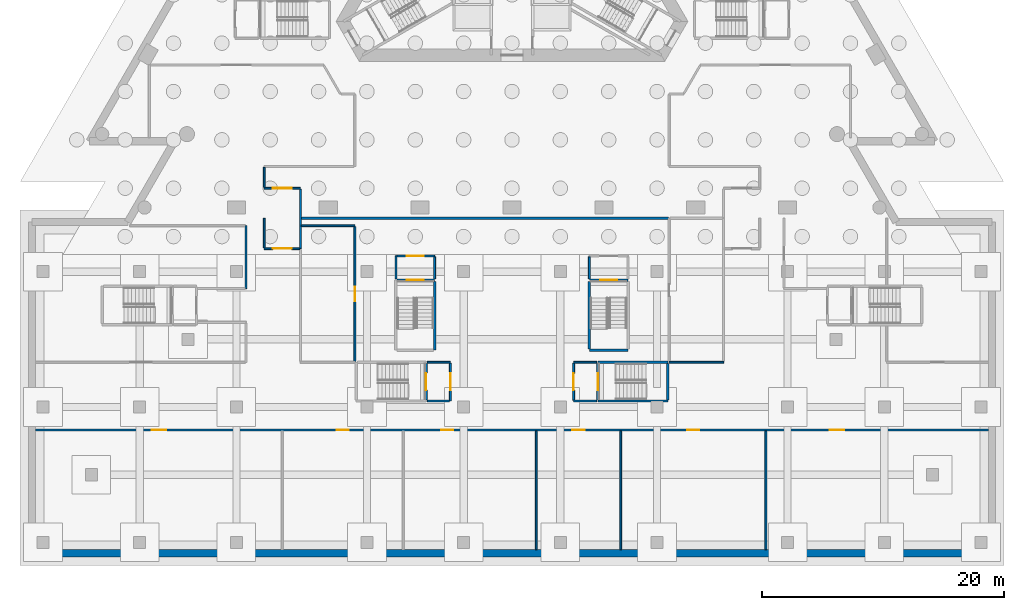
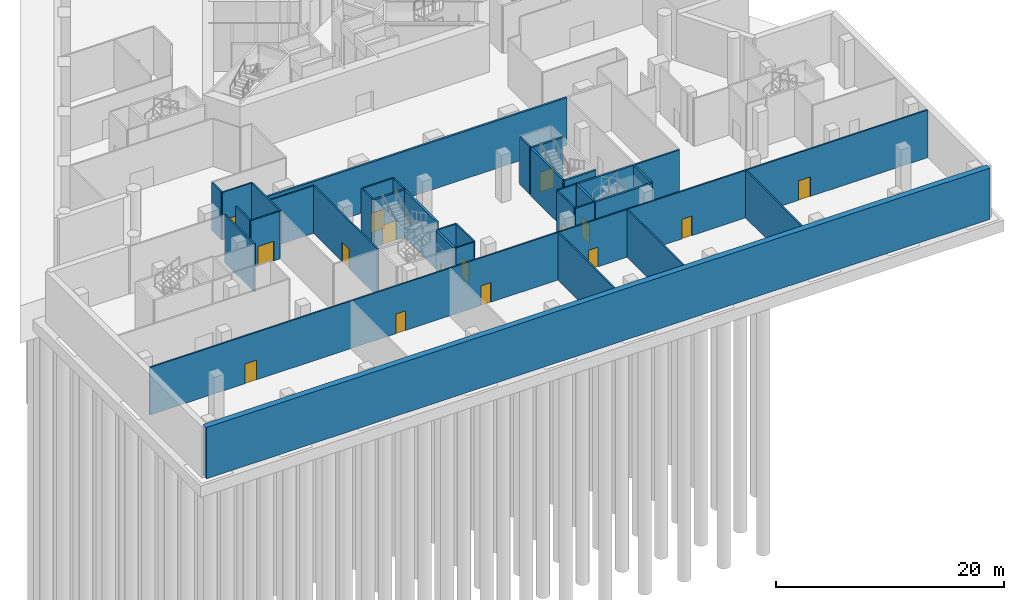
# One storey, part 4 of 20: 35 walls, 16 doors, 16 openings.
"""IFC4 building model written with IfcOpenShell, lengths in metres."""

import ifcopenshell
import ifcopenshell.guid

model = None  # the IFC model being written
_history = None  # IfcOwnerHistory: only IFC2X3 demands one
_inside = {}  # id of a spatial element -> (the spatial element, [elements in it])
_under = {}  # id of a project, library or spatial element -> (it, [spatial elements below it])
_declared = {}  # id of a project -> (the project, [libraries it declares])
_typed = {}  # id of a type object -> (the type object, [elements of that type])
_made_of = {}  # id of a material, layer set ... -> (it, [elements and type objects made of it])


def new_model(schema):
    """Start an empty IFC model of exactly this schema.

    Asked for "IFC4X3", IfcOpenShell would pick the latest addendum, in which some entities
    have other attributes; the version numbers below select the first issue.
    IFC2X3 requires an IfcOwnerHistory on every rooted entity: one is made here for all.
    """
    global model, _history
    if schema == "IFC4X3":
        model = ifcopenshell.file(schema_version=(4, 3, 0, 0))
    else:
        model = ifcopenshell.file(schema=schema)
    _inside.clear()
    _under.clear()
    _declared.clear()
    _typed.clear()
    _made_of.clear()
    _history = None
    if model.schema == "IFC2X3":
        org = make("IfcOrganization", Name="unknown")
        user = make(
            "IfcPersonAndOrganization",
            ThePerson=make("IfcPerson", FamilyName="unknown"),
            TheOrganization=org,
        )
        app = make(
            "IfcApplication",
            ApplicationDeveloper=org,
            Version="unknown",
            ApplicationFullName="unknown",
            ApplicationIdentifier="unknown",
        )
        _history = make(
            "IfcOwnerHistory",
            OwningUser=user,
            OwningApplication=app,
            ChangeAction="ADDED",
            CreationDate=0,
        )
    return model


def make(cls, **values):
    """One entity of the class cls with the attributes given. An attribute that is None is left unset."""
    return model.create_entity(
        cls, **{name: value for name, value in values.items() if value is not None}
    )


def rooted(cls, **values):
    """An entity with a GlobalId (a new one), such as an element, a storey or a relation."""
    return make(cls, GlobalId=ifcopenshell.guid.new(), OwnerHistory=_history, **values)


def si_unit(unit_type, name, prefix=None):
    """IfcSIUnit, for example si_unit("LENGTHUNIT", "METRE", prefix="MILLI")."""
    return make("IfcSIUnit", UnitType=unit_type, Prefix=prefix, Name=name)


def assignment(units):
    """IfcUnitAssignment: the units of a project."""
    return None if units is None else make("IfcUnitAssignment", Units=units)


def point(xyz):
    """IfcCartesianPoint."""
    return None if xyz is None else make("IfcCartesianPoint", Coordinates=xyz)


def direction(xyz):
    """IfcDirection."""
    return None if xyz is None else make("IfcDirection", DirectionRatios=xyz)


def frame(location, z_axis=None, x_axis=None):
    """IfcAxis2Placement3D, a coordinate frame: its origin and axes. An axis left out is left unset."""
    return make(
        "IfcAxis2Placement3D",
        Location=point(location),
        Axis=direction(z_axis),
        RefDirection=direction(x_axis),
    )


def frame_2d(location, x_axis=None):
    """IfcAxis2Placement2D, a coordinate frame in the plane: its origin and x axis."""
    return make(
        "IfcAxis2Placement2D", Location=point(location), RefDirection=direction(x_axis)
    )


def origin():
    """The frame at (0, 0, 0) with its axes left unset."""
    return frame((0.0, 0.0, 0.0))


def place(relative_to, where):
    """IfcLocalPlacement: puts the frame where relative to a parent placement (None: the world)."""
    return make(
        "IfcLocalPlacement", PlacementRelTo=relative_to, RelativePlacement=where
    )


def context(
    kind, dimensions, precision=None, world=None, true_north=None, identifier=None
):
    """IfcGeometricRepresentationContext, for example the 3D "Model" context."""
    return make(
        "IfcGeometricRepresentationContext",
        ContextIdentifier=identifier,
        ContextType=kind,
        CoordinateSpaceDimension=dimensions,
        Precision=precision,
        WorldCoordinateSystem=world,
        TrueNorth=true_north,
    )


def subcontext(parent, identifier, kind, view, scale=None):
    """IfcGeometricRepresentationSubContext, for example "Body" below "Model"."""
    return make(
        "IfcGeometricRepresentationSubContext",
        ContextIdentifier=identifier,
        ContextType=kind,
        ParentContext=parent,
        TargetScale=scale,
        TargetView=view,
    )


def project(units=None, contexts=None):
    """IfcProject with its units and contexts."""
    return rooted(
        "IfcProject",
        Name="project",
        RepresentationContexts=contexts,
        UnitsInContext=assignment(units),
    )


def spatial(cls, under=None, at=None, **own):
    """A site, building, storey or space (cls), placed at a placement, below another one or the project."""
    s = rooted(cls, ObjectPlacement=at, **own)
    if under is not None:
        _under.setdefault(under.id(), (under, []))[1].append(s)
    return s


def profile(cls, at=None, kind="AREA", **sizes):
    """A parametric profile (cls). Its sizes go by their IFC names, for example OverallWidth=200.0."""
    return make(cls, ProfileType=kind, Position=at, **sizes)


def rectangle(**sizes):
    """IfcRectangleProfileDef."""
    return profile("IfcRectangleProfileDef", **sizes)


def extrude(swept, where, along, depth):
    """IfcExtrudedAreaSolid: the profile swept, set in the frame where, extruded along a direction by depth."""
    return make(
        "IfcExtrudedAreaSolid",
        SweptArea=swept,
        Position=where,
        ExtrudedDirection=direction(along),
        Depth=depth,
    )


def shape(context_of_items, identifier, shape_type, items):
    """IfcShapeRepresentation: the items that make up one representation, for example the "Body"."""
    return make(
        "IfcShapeRepresentation",
        ContextOfItems=context_of_items,
        RepresentationIdentifier=identifier,
        RepresentationType=shape_type,
        Items=items,
    )


def material(Name=None, Category=None):
    """IfcMaterial."""
    return make("IfcMaterial", Name=Name, Category=Category)


def layer(
    of_material, thickness, ventilated=None, Name=None, Category=None, Priority=None
):
    """IfcMaterialLayer: one layer of a wall or slab, of a material (None: an air gap)."""
    return make(
        "IfcMaterialLayer",
        Material=of_material,
        LayerThickness=thickness,
        IsVentilated=ventilated,
        Name=Name,
        Category=Category,
        Priority=Priority,
    )


def layer_set(layers, Name=None):
    """IfcMaterialLayerSet."""
    return make("IfcMaterialLayerSet", MaterialLayers=layers, LayerSetName=Name)


def made_of(thing, what):
    """Note that an element or type object is made of a material, layer set ...; save() writes the relation."""
    if what is not None:
        _made_of.setdefault(what.id(), (what, []))[1].append(thing)
    return thing


def type_object(cls, material=None, **own):
    """A type object (cls), such as IfcWallType, which elements share."""
    return made_of(rooted(cls, **own), material)


def element(
    cls,
    number,
    at=None,
    inside=None,
    cuts=None,
    type_object=None,
    material=None,
    context=None,
    identifier="Body",
    shape_type=None,
    held_by="IfcProductDefinitionShape",
    body=None,
    shapes=None,
    **own,
):
    """One element of the class cls, such as IfcWall. Its Tag is "e" and its number.

    at: its placement. inside: the storey or other place that contains it. cuts: it is an
    opening in that element (IfcRelVoidsElement). A single representation is given by context,
    identifier, shape_type and body (its items); several are given by shapes. held_by: the class
    of the entity that holds the representations. save() writes the other relations.
    """
    e = rooted(cls, Tag="e%d" % number, ObjectPlacement=at, **own)
    if body is not None:
        shapes = [shape(context, identifier, shape_type, body)]
    if shapes is not None:
        e.Representation = make(held_by, Representations=shapes)
    if inside is not None:
        _inside.setdefault(inside.id(), (inside, []))[1].append(e)
    if cuts is not None:
        rooted(
            "IfcRelVoidsElement", RelatingBuildingElement=cuts, RelatedOpeningElement=e
        )
    if type_object is not None:
        _typed.setdefault(type_object.id(), (type_object, []))[1].append(e)
    return made_of(e, material)


def fill(opening, filler):
    """IfcRelFillsElement: the door or window that sits in an opening."""
    return rooted(
        "IfcRelFillsElement",
        RelatingOpeningElement=opening,
        RelatedBuildingElement=filler,
    )


def aggregate(whole, parts):
    """IfcRelAggregates: a whole, such as a stair, and the parts it consists of."""
    return rooted("IfcRelAggregates", RelatingObject=whole, RelatedObjects=parts)


def save(model, path):
    """Write the relations noted so far, then the file.

    IfcRelAggregates (storeys below a building ...), IfcRelContainedInSpatialStructure (elements
    in a storey), IfcRelDefinesByType, IfcRelAssociatesMaterial and IfcRelDeclares: one each for
    every whole, place, type object, material and project.
    """
    for whole, parts in _under.values():
        aggregate(whole, parts)
    for where, things in _inside.values():
        rooted(
            "IfcRelContainedInSpatialStructure",
            RelatedElements=things,
            RelatingStructure=where,
        )
    for kind, things in _typed.values():
        rooted("IfcRelDefinesByType", RelatedObjects=things, RelatingType=kind)
    for what, things in _made_of.values():
        rooted("IfcRelAssociatesMaterial", RelatedObjects=things, RelatingMaterial=what)
    for by, libraries in _declared.values():
        rooted("IfcRelDeclares", RelatingContext=by, RelatedDefinitions=libraries)
    model.write(path)


model = new_model("IFC4")

# Units and contexts
model_context = context("Model", 3, precision=1e-05, world=origin(), true_north=direction((0.0, 1.0)))
body_context = subcontext(model_context, "Body", "Model", "MODEL_VIEW")
ifc_project = project(units=[si_unit("LENGTHUNIT", "METRE"), si_unit("AREAUNIT", "SQUARE_METRE"), si_unit("VOLUMEUNIT", "CUBIC_METRE"), si_unit("PLANEANGLEUNIT", "RADIAN"), si_unit("MASSUNIT", "GRAM", prefix="KILO")], contexts=[model_context])

# Site, building, storey
site_placement = place(None, origin())
site = spatial("IfcSite", under=ifc_project, at=site_placement, CompositionType="ELEMENT")
building_placement = place(site_placement, origin())
building = spatial("IfcBuilding", under=site, at=building_placement, Name="Triada Interchange Tower", CompositionType="ELEMENT")
storey_placement = place(building_placement, frame((0.0, 0.0, -5.5)))
storey = spatial("IfcBuildingStorey", under=building, at=storey_placement, Name="B1", CompositionType="ELEMENT", Elevation=-5.5)

# Walls
ifc_material_1 = material(Name="Concrete C30/37", Category="concrete")
ifc_layer_1 = layer(ifc_material_1, 0.60009765625)
ifc_layer_set_1 = layer_set([ifc_layer_1], Name="Basement retaining wall 600")
wall_type_1 = type_object("IfcWallType", Name="Basement retaining wall 600", PredefinedType="SOLIDWALL", material=ifc_layer_set_1)
wall_1_placement = place(storey_placement, frame((-39.699951171875, -50.199951171875, -0.39990234375), z_axis=(0.0, 0.0, 1.0), x_axis=(1.0, 0.0, 0.0)))
element("IfcWall", 1, at=wall_1_placement, inside=storey, type_object=wall_type_1, Name="Retaining wall 13", PredefinedType="SOLIDWALL", context=body_context, shape_type="SweptSolid", body=[
    extrude(rectangle(XDim=79.39990234375, YDim=0.60009765625, at=frame_2d((39.699951171875, 0.0))), origin(), (0.0, 0.0, 1.0), 5.5),
])
ifc_layer_2 = layer(ifc_material_1, 0.199951171875)
ifc_layer_set_2 = layer_set([ifc_layer_2], Name="COMPARTMENT WALL 200 EI 180")
wall_type_2 = type_object("IfcWallType", Name="COMPARTMENT WALL 200 EI 180", PredefinedType="SOLIDWALL", material=ifc_layer_set_2)
wall_2_placement = place(storey_placement, frame((-17.425048828125, -22.5, 0.0), z_axis=(0.0, 0.0, 1.0), x_axis=(1.0, 0.0, 0.0)))
element("IfcWall", 2, at=wall_2_placement, inside=storey, type_object=wall_type_2, Name="Compartment wall B1 73", PredefinedType="SOLIDWALL", context=body_context, shape_type="SweptSolid", body=[
    extrude(rectangle(XDim=30.35205078125, YDim=0.199951171875, at=frame_2d((15.176025390625, 0.0))), origin(), (0.0, 0.0, 1.0), 5.10009765625),
])

# Wall, opening, door
ifc_layer_3 = layer(ifc_material_1, 0.199951171875)
ifc_layer_set_3 = layer_set([ifc_layer_3], Name="CORE WALL 200 REI 240")
wall_type_3 = type_object("IfcWallType", Name="CORE WALL 200 REI 240", PredefinedType="SOLIDWALL", material=ifc_layer_set_3)
wall_3_placement = place(storey_placement, frame((-9.5, -27.60009765625, 0.0), z_axis=(0.0, 0.0, 1.0), x_axis=(1.0, 0.0, 0.0)))
wall_3 = element("IfcWall", 3, at=wall_3_placement, inside=storey, type_object=wall_type_3, Name="Wall B1 139", PredefinedType="SOLIDWALL", context=body_context, shape_type="SweptSolid", body=[
    extrude(rectangle(XDim=3.10009765625, YDim=0.199951171875, at=frame_2d((1.550048828125, 0.0))), origin(), (0.0, 0.0, 1.0), 5.10009765625),
])
opening_1_placement = place(wall_3_placement, frame((0.800048828125, 0.0, 0.0)))
opening_1 = element("IfcOpeningElement", 4, at=opening_1_placement, cuts=wall_3, Name="Opening D1-23", PredefinedType="OPENING", context=body_context, shape_type="SweptSolid", body=[
    extrude(rectangle(XDim=1.39990234375, YDim=2.10009765625, at=frame_2d((0.699951171875, 1.050048828125))), frame((0.0, 0.10986328125, 0.0), z_axis=(0.0, -1.0, 0.0), x_axis=(1.0, 0.0, 0.0)), (0.0, 0.0, 1.0), 0.219970703125),
])
ifc_material_2 = material(Name="Steel S235 door leaf", Category="steel")
door_type_1 = type_object("IfcDoorType", Name="STAIR DOOR 1400 EI2 90-C5S200", OperationType="DOUBLE_DOOR_SINGLE_SWING", PredefinedType="DOOR", material=ifc_material_2)
door_1_placement = place(opening_1_placement, origin())
door_1 = element("IfcDoor", 5, at=door_1_placement, inside=storey, type_object=door_type_1, Name="Door D1-23 B1", OperationType="DOUBLE_DOOR_SINGLE_SWING", OverallHeight=2.10009765625, OverallWidth=1.39990234375, PredefinedType="DOOR", context=body_context, shape_type="SweptSolid", body=[
    extrude(rectangle(XDim=1.39990234375, YDim=2.10009765625, at=frame_2d((0.699951171875, 1.050048828125))), frame((0.0, 0.02490234375, 0.0), z_axis=(0.0, -1.0, 0.0), x_axis=(1.0, 0.0, 0.0)), (0.0, 0.0, 1.0), 0.050048828125),
])
fill(opening_1, door_1)

wall_4_placement = place(storey_placement, frame((6.39990234375, -27.60009765625, 0.0), z_axis=(0.0, 0.0, 1.0), x_axis=(1.0, 0.0, 0.0)))
wall_4 = element("IfcWall", 6, at=wall_4_placement, inside=storey, type_object=wall_type_3, Name="Wall B1 140", PredefinedType="SOLIDWALL", context=body_context, shape_type="SweptSolid", body=[
    extrude(rectangle(XDim=3.2001953125, YDim=0.199951171875, at=frame_2d((1.60009765625, 0.0))), origin(), (0.0, 0.0, 1.0), 5.10009765625),
])
opening_2_placement = place(wall_4_placement, frame((0.89990234375, 0.0, 0.0)))
opening_2 = element("IfcOpeningElement", 7, at=opening_2_placement, cuts=wall_4, Name="Opening D1-21", PredefinedType="OPENING", context=body_context, shape_type="SweptSolid", body=[
    extrude(rectangle(XDim=1.39990234375, YDim=2.10009765625, at=frame_2d((0.699951171875, 1.050048828125))), frame((0.0, 0.10986328125, 0.0), z_axis=(0.0, -1.0, 0.0), x_axis=(1.0, 0.0, 0.0)), (0.0, 0.0, 1.0), 0.219970703125),
])
door_2_placement = place(opening_2_placement, origin())
door_2 = element("IfcDoor", 8, at=door_2_placement, inside=storey, type_object=door_type_1, Name="Door D1-21 B1", OperationType="DOUBLE_DOOR_SINGLE_SWING", OverallHeight=2.10009765625, OverallWidth=1.39990234375, PredefinedType="DOOR", context=body_context, shape_type="SweptSolid", body=[
    extrude(rectangle(XDim=1.39990234375, YDim=2.10009765625, at=frame_2d((0.699951171875, 1.050048828125))), frame((0.0, 0.02490234375, 0.0), z_axis=(0.0, -1.0, 0.0), x_axis=(1.0, 0.0, 0.0)), (0.0, 0.0, 1.0), 0.050048828125),
])
fill(opening_2, door_2)

# Walls
wall_5_placement = place(storey_placement, frame((-6.39990234375, -33.39990234375, 0.0), z_axis=(0.0, 0.0, 1.0), x_axis=(0.0, 1.0, 0.0)))
element("IfcWall", 9, at=wall_5_placement, inside=storey, type_object=wall_type_3, Name="Wall B1 141", PredefinedType="SOLIDWALL", context=body_context, shape_type="SweptSolid", body=[
    extrude(rectangle(XDim=5.699951171875, YDim=0.199951171875, at=frame_2d((2.85009765625, 0.0))), origin(), (0.0, 0.0, 1.0), 5.10009765625),
])
wall_6_placement = place(storey_placement, frame((6.39990234375, -33.39990234375, 0.0), z_axis=(0.0, 0.0, 1.0), x_axis=(1.0, 0.0, 0.0)))
element("IfcWall", 10, at=wall_6_placement, inside=storey, type_object=wall_type_3, Name="Wall B1 143", PredefinedType="SOLIDWALL", context=body_context, shape_type="SweptSolid", body=[
    extrude(rectangle(XDim=3.2001953125, YDim=0.199951171875, at=frame_2d((1.60009765625, 0.0))), origin(), (0.0, 0.0, 1.0), 5.10009765625),
])
for number, where, z_axis, x_axis, name in (
    (11, (7.10009765625, -37.60009765625, 0.0), (0.0, 0.0, 1.0), (1.0, 0.0, 0.0), "Wall B1 145"),
    (12, (7.10009765625, -34.39990234375, 0.0), (0.0, 0.0, 1.0), (1.0, 0.0, 0.0), "Wall B1 148"),
):
    element("IfcWall", number, at=place(storey_placement, frame(where, z_axis=z_axis, x_axis=x_axis)), inside=storey, type_object=wall_type_3, Name=name, PredefinedType="SOLIDWALL", context=body_context, shape_type="SweptSolid", body=[
        extrude(rectangle(XDim=5.7998046875, YDim=0.199951171875, at=frame_2d((2.89990234375, 0.0))), origin(), (0.0, 0.0, 1.0), 5.10009765625),
    ])

# Wall, opening, door
wall_7_placement = place(storey_placement, frame((-7.10009765625, -37.5, 0.0), z_axis=(0.0, 0.0, 1.0), x_axis=(0.0, 1.0, 0.0)))
wall_7 = element("IfcWall", 13, at=wall_7_placement, inside=storey, type_object=wall_type_3, Name="Wall B1 149", PredefinedType="SOLIDWALL", context=body_context, shape_type="SweptSolid", body=[
    extrude(rectangle(XDim=3.0, YDim=0.199951171875, at=frame_2d((1.5, 0.0))), origin(), (0.0, 0.0, 1.0), 5.10009765625),
])
opening_3_placement = place(wall_7_placement, frame((0.800048828125, 0.0, 0.0)))
opening_3 = element("IfcOpeningElement", 14, at=opening_3_placement, cuts=wall_7, Name="Opening D1-09", PredefinedType="OPENING", context=body_context, shape_type="SweptSolid", body=[
    extrude(rectangle(XDim=1.39990234375, YDim=2.10009765625, at=frame_2d((0.699951171875, 1.050048828125))), frame((0.0, 0.10986328125, 0.0), z_axis=(0.0, -1.0, 0.0), x_axis=(1.0, 0.0, 0.0)), (0.0, 0.0, 1.0), 0.219970703125),
])
door_3_placement = place(opening_3_placement, origin())
door_3 = element("IfcDoor", 15, at=door_3_placement, inside=storey, type_object=door_type_1, Name="Door D1-09 B1", OperationType="DOUBLE_DOOR_SINGLE_SWING", OverallHeight=2.10009765625, OverallWidth=1.39990234375, PredefinedType="DOOR", context=body_context, shape_type="SweptSolid", body=[
    extrude(rectangle(XDim=1.39990234375, YDim=2.10009765625, at=frame_2d((0.699951171875, 1.050048828125))), frame((0.0, 0.02490234375, 0.0), z_axis=(0.0, -1.0, 0.0), x_axis=(1.0, 0.0, 0.0)), (0.0, 0.0, 1.0), 0.050048828125),
])
fill(opening_3, door_3)

# Wall
wall_8_placement = place(storey_placement, frame((6.39990234375, -33.300048828125, 0.0), z_axis=(0.0, 0.0, 1.0), x_axis=(0.0, 1.0, 0.0)))
element("IfcWall", 16, at=wall_8_placement, inside=storey, type_object=wall_type_3, Name="Wall B1 151", PredefinedType="SOLIDWALL", context=body_context, shape_type="SweptSolid", body=[
    extrude(rectangle(XDim=5.59814453125, YDim=0.199951171875, at=frame_2d((2.799072265625, 0.0))), origin(), (0.0, 0.0, 1.0), 5.10009765625),
])

# Wall, opening, door
wall_9_placement = place(storey_placement, frame((7.10009765625, -37.5, 0.0), z_axis=(0.0, 0.0, 1.0), x_axis=(0.0, 1.0, 0.0)))
wall_9 = element("IfcWall", 17, at=wall_9_placement, inside=storey, type_object=wall_type_3, Name="Wall B1 152", PredefinedType="SOLIDWALL", context=body_context, shape_type="SweptSolid", body=[
    extrude(rectangle(XDim=3.0, YDim=0.199951171875, at=frame_2d((1.5, 0.0))), origin(), (0.0, 0.0, 1.0), 5.10009765625),
])
opening_4_placement = place(wall_9_placement, frame((0.800048828125, 0.0, 0.0)))
opening_4 = element("IfcOpeningElement", 18, at=opening_4_placement, cuts=wall_9, Name="Opening D1-11", PredefinedType="OPENING", context=body_context, shape_type="SweptSolid", body=[
    extrude(rectangle(XDim=1.39990234375, YDim=2.10009765625, at=frame_2d((0.699951171875, 1.050048828125))), frame((0.0, 0.10986328125, 0.0), z_axis=(0.0, -1.0, 0.0), x_axis=(1.0, 0.0, 0.0)), (0.0, 0.0, 1.0), 0.219970703125),
])
door_4_placement = place(opening_4_placement, origin())
door_4 = element("IfcDoor", 19, at=door_4_placement, inside=storey, type_object=door_type_1, Name="Door D1-11 B1", OperationType="DOUBLE_DOOR_SINGLE_SWING", OverallHeight=2.10009765625, OverallWidth=1.39990234375, PredefinedType="DOOR", context=body_context, shape_type="SweptSolid", body=[
    extrude(rectangle(XDim=1.39990234375, YDim=2.10009765625, at=frame_2d((0.699951171875, 1.050048828125))), frame((0.0, 0.02490234375, 0.0), z_axis=(0.0, -1.0, 0.0), x_axis=(1.0, 0.0, 0.0)), (0.0, 0.0, 1.0), 0.050048828125),
])
fill(opening_4, door_4)

# Wall
wall_10_placement = place(storey_placement, frame((12.89990234375, -37.5, 0.0), z_axis=(0.0, 0.0, 1.0), x_axis=(0.0, 1.0, 0.0)))
element("IfcWall", 20, at=wall_10_placement, inside=storey, type_object=wall_type_3, Name="Wall B1 153", PredefinedType="SOLIDWALL", context=body_context, shape_type="SweptSolid", body=[
    extrude(rectangle(XDim=3.0, YDim=0.199951171875, at=frame_2d((1.5, 0.0))), origin(), (0.0, 0.0, 1.0), 5.10009765625),
])

# Wall, openings, doors
ifc_material_3 = material(Name="Gypsum board partition")
ifc_layer_4 = layer(ifc_material_3, 0.14990234375)
ifc_layer_set_4 = layer_set([ifc_layer_4], Name="PARTITION 150 EI 180")
wall_type_4 = type_object("IfcWallType", Name="PARTITION 150 EI 180", PredefinedType="PARTITIONING", material=ifc_layer_set_4)
wall_11_placement = place(storey_placement, frame((-39.39990234375, -40.0, 0.0), z_axis=(0.0, 0.0, 1.0), x_axis=(1.0, 0.0, 0.0)))
wall_11 = element("IfcWall", 21, at=wall_11_placement, inside=storey, type_object=wall_type_4, Name="Wall B1 1", PredefinedType="PARTITIONING", context=body_context, shape_type="SweptSolid", body=[
    extrude(rectangle(XDim=78.7998046875, YDim=0.14990234375, at=frame_2d((39.39990234375, 0.0))), origin(), (0.0, 0.0, 1.0), 5.10009765625),
])
opening_5_placement = place(wall_11_placement, frame((9.60009765625, 0.0, 0.0)))
opening_5 = element("IfcOpeningElement", 22, at=opening_5_placement, cuts=wall_11, Name="Opening D1-25", PredefinedType="OPENING", context=body_context, shape_type="SweptSolid", body=[
    extrude(rectangle(XDim=1.199951171875, YDim=2.10009765625, at=frame_2d((0.60009765625, 1.050048828125))), frame((0.0, 0.0849609375, 0.0), z_axis=(0.0, -1.0, 0.0), x_axis=(1.0, 0.0, 0.0)), (0.0, 0.0, 1.0), 0.169921875),
])
opening_6_placement = place(wall_11_placement, frame((24.89990234375, 0.0, 0.0)))
opening_6 = element("IfcOpeningElement", 23, at=opening_6_placement, cuts=wall_11, Name="Opening D1-26", PredefinedType="OPENING", context=body_context, shape_type="SweptSolid", body=[
    extrude(rectangle(XDim=1.0, YDim=2.10009765625, at=frame_2d((0.5, 1.050048828125))), frame((0.0, 0.0849609375, 0.0), z_axis=(0.0, -1.0, 0.0), x_axis=(1.0, 0.0, 0.0)), (0.0, 0.0, 1.0), 0.169921875),
])
opening_7_placement = place(wall_11_placement, frame((33.5400390625, 0.0, 0.0)))
opening_7 = element("IfcOpeningElement", 24, at=opening_7_placement, cuts=wall_11, Name="Opening D1-27", PredefinedType="OPENING", context=body_context, shape_type="SweptSolid", body=[
    extrude(rectangle(XDim=1.0, YDim=2.10009765625, at=frame_2d((0.5, 1.050048828125))), frame((0.0, 0.0849609375, 0.0), z_axis=(0.0, -1.0, 0.0), x_axis=(1.0, 0.0, 0.0)), (0.0, 0.0, 1.0), 0.169921875),
])
opening_8_placement = place(wall_11_placement, frame((44.39990234375, 0.0, 0.0)))
opening_8 = element("IfcOpeningElement", 25, at=opening_8_placement, cuts=wall_11, Name="Opening D1-28", PredefinedType="OPENING", context=body_context, shape_type="SweptSolid", body=[
    extrude(rectangle(XDim=1.0, YDim=2.10009765625, at=frame_2d((0.5, 1.050048828125))), frame((0.0, 0.0849609375, 0.0), z_axis=(0.0, -1.0, 0.0), x_axis=(1.0, 0.0, 0.0)), (0.0, 0.0, 1.0), 0.169921875),
])
opening_9_placement = place(wall_11_placement, frame((53.89990234375, 0.0, 0.0)))
opening_9 = element("IfcOpeningElement", 26, at=opening_9_placement, cuts=wall_11, Name="Opening D1-29", PredefinedType="OPENING", context=body_context, shape_type="SweptSolid", body=[
    extrude(rectangle(XDim=1.0, YDim=2.10009765625, at=frame_2d((0.5, 1.050048828125))), frame((0.0, 0.0849609375, 0.0), z_axis=(0.0, -1.0, 0.0), x_axis=(1.0, 0.0, 0.0)), (0.0, 0.0, 1.0), 0.169921875),
])
opening_10_placement = place(wall_11_placement, frame((65.699951171875, 0.0, 0.0)))
opening_10 = element("IfcOpeningElement", 27, at=opening_10_placement, cuts=wall_11, Name="Opening D1-30", PredefinedType="OPENING", context=body_context, shape_type="SweptSolid", body=[
    extrude(rectangle(XDim=1.199951171875, YDim=2.10009765625, at=frame_2d((0.60009765625, 1.050048828125))), frame((0.0, 0.0849609375, 0.0), z_axis=(0.0, -1.0, 0.0), x_axis=(1.0, 0.0, 0.0)), (0.0, 0.0, 1.0), 0.169921875),
])
door_type_2 = type_object("IfcDoorType", Name="ROOM DOOR 1000 EI2 45-C5S200", OperationType="NOTDEFINED", PredefinedType="DOOR", material=ifc_material_2)
door_5_placement = place(opening_6_placement, origin())
door_5 = element("IfcDoor", 28, at=door_5_placement, inside=storey, type_object=door_type_2, Name="Door D1-26 B1", OperationType="SINGLE_SWING_LEFT", OverallHeight=2.10009765625, OverallWidth=1.0, PredefinedType="DOOR", context=body_context, shape_type="SweptSolid", body=[
    extrude(rectangle(XDim=1.0, YDim=2.10009765625, at=frame_2d((0.5, 1.050048828125))), frame((0.0, 0.02490234375, 0.0), z_axis=(0.0, -1.0, 0.0), x_axis=(1.0, 0.0, 0.0)), (0.0, 0.0, 1.0), 0.050048828125),
])
fill(opening_6, door_5)
door_6_placement = place(opening_7_placement, origin())
door_6 = element("IfcDoor", 29, at=door_6_placement, inside=storey, type_object=door_type_2, Name="Door D1-27 B1", OperationType="SINGLE_SWING_LEFT", OverallHeight=2.10009765625, OverallWidth=1.0, PredefinedType="DOOR", context=body_context, shape_type="SweptSolid", body=[
    extrude(rectangle(XDim=1.0, YDim=2.10009765625, at=frame_2d((0.5, 1.050048828125))), frame((0.0, 0.02490234375, 0.0), z_axis=(0.0, -1.0, 0.0), x_axis=(1.0, 0.0, 0.0)), (0.0, 0.0, 1.0), 0.050048828125),
])
fill(opening_7, door_6)
door_7_placement = place(opening_8_placement, origin())
door_7 = element("IfcDoor", 30, at=door_7_placement, inside=storey, type_object=door_type_2, Name="Door D1-28 B1", OperationType="SINGLE_SWING_LEFT", OverallHeight=2.10009765625, OverallWidth=1.0, PredefinedType="DOOR", context=body_context, shape_type="SweptSolid", body=[
    extrude(rectangle(XDim=1.0, YDim=2.10009765625, at=frame_2d((0.5, 1.050048828125))), frame((0.0, 0.02490234375, 0.0), z_axis=(0.0, -1.0, 0.0), x_axis=(1.0, 0.0, 0.0)), (0.0, 0.0, 1.0), 0.050048828125),
])
fill(opening_8, door_7)
door_8_placement = place(opening_9_placement, origin())
door_8 = element("IfcDoor", 31, at=door_8_placement, inside=storey, type_object=door_type_2, Name="Door D1-29 B1", OperationType="SINGLE_SWING_LEFT", OverallHeight=2.10009765625, OverallWidth=1.0, PredefinedType="DOOR", context=body_context, shape_type="SweptSolid", body=[
    extrude(rectangle(XDim=1.0, YDim=2.10009765625, at=frame_2d((0.5, 1.050048828125))), frame((0.0, 0.02490234375, 0.0), z_axis=(0.0, -1.0, 0.0), x_axis=(1.0, 0.0, 0.0)), (0.0, 0.0, 1.0), 0.050048828125),
])
fill(opening_9, door_8)
door_type_3 = type_object("IfcDoorType", Name="ROOM DOOR 1200 EI2 45-C5S200", OperationType="NOTDEFINED", PredefinedType="DOOR", material=ifc_material_2)
door_9_placement = place(opening_5_placement, origin())
door_9 = element("IfcDoor", 32, at=door_9_placement, inside=storey, type_object=door_type_3, Name="Door D1-25 B1", OperationType="SINGLE_SWING_RIGHT", OverallHeight=2.10009765625, OverallWidth=1.199951171875, PredefinedType="DOOR", context=body_context, shape_type="SweptSolid", body=[
    extrude(rectangle(XDim=1.199951171875, YDim=2.10009765625, at=frame_2d((0.60009765625, 1.050048828125))), frame((0.0, 0.02490234375, 0.0), z_axis=(0.0, -1.0, 0.0), x_axis=(1.0, 0.0, 0.0)), (0.0, 0.0, 1.0), 0.050048828125),
])
fill(opening_5, door_9)
door_10_placement = place(opening_10_placement, origin())
door_10 = element("IfcDoor", 33, at=door_10_placement, inside=storey, type_object=door_type_3, Name="Door D1-30 B1", OperationType="SINGLE_SWING_LEFT", OverallHeight=2.10009765625, OverallWidth=1.199951171875, PredefinedType="DOOR", context=body_context, shape_type="SweptSolid", body=[
    extrude(rectangle(XDim=1.199951171875, YDim=2.10009765625, at=frame_2d((0.60009765625, 1.050048828125))), frame((0.0, 0.02490234375, 0.0), z_axis=(0.0, -1.0, 0.0), x_axis=(1.0, 0.0, 0.0)), (0.0, 0.0, 1.0), 0.050048828125),
])
fill(opening_10, door_10)

# Wall
wall_12_placement = place(storey_placement, frame((-9.60009765625, -27.5, 0.0), z_axis=(0.0, 0.0, 1.0), x_axis=(0.0, 1.0, 0.0)))
element("IfcWall", 34, at=wall_12_placement, inside=storey, type_object=wall_type_4, Name="Wall B1 13", PredefinedType="PARTITIONING", context=body_context, shape_type="SweptSolid", body=[
    extrude(rectangle(XDim=1.89990234375, YDim=0.14990234375, at=frame_2d((0.949951171875, 0.0))), origin(), (0.0, 0.0, 1.0), 5.10009765625),
])

# Wall, opening, door
wall_13_placement = place(storey_placement, frame((-9.52490234375, -25.60009765625, 0.0), z_axis=(0.0, 0.0, 1.0), x_axis=(1.0, 0.0, 0.0)))
wall_13 = element("IfcWall", 35, at=wall_13_placement, inside=storey, type_object=wall_type_4, Name="Wall B1 14", PredefinedType="PARTITIONING", context=body_context, shape_type="SweptSolid", body=[
    extrude(rectangle(XDim=3.125, YDim=0.14990234375, at=frame_2d((1.5625, 0.0))), origin(), (0.0, 0.0, 1.0), 5.10009765625),
])
opening_11_placement = place(wall_13_placement, frame((0.824951171875, 0.0, 0.0)))
opening_11 = element("IfcOpeningElement", 36, at=opening_11_placement, cuts=wall_13, Name="Opening D1-24", PredefinedType="OPENING", context=body_context, shape_type="SweptSolid", body=[
    extrude(rectangle(XDim=1.39990234375, YDim=2.10009765625, at=frame_2d((0.699951171875, 1.050048828125))), frame((0.0, 0.0849609375, 0.0), z_axis=(0.0, -1.0, 0.0), x_axis=(1.0, 0.0, 0.0)), (0.0, 0.0, 1.0), 0.169921875),
])
door_11_placement = place(opening_11_placement, origin())
door_11 = element("IfcDoor", 37, at=door_11_placement, inside=storey, type_object=door_type_1, Name="Door D1-24 B1", OperationType="DOUBLE_DOOR_SINGLE_SWING", OverallHeight=2.10009765625, OverallWidth=1.39990234375, PredefinedType="DOOR", context=body_context, shape_type="SweptSolid", body=[
    extrude(rectangle(XDim=1.39990234375, YDim=2.10009765625, at=frame_2d((0.699951171875, 1.050048828125))), frame((0.0, 0.02490234375, 0.0), z_axis=(0.0, -1.0, 0.0), x_axis=(1.0, 0.0, 0.0)), (0.0, 0.0, 1.0), 0.050048828125),
])
fill(opening_11, door_11)

# Walls
wall_14_placement = place(storey_placement, frame((-6.39990234375, -27.5, 0.0), z_axis=(0.0, 0.0, 1.0), x_axis=(0.0, 1.0, 0.0)))
element("IfcWall", 38, at=wall_14_placement, inside=storey, type_object=wall_type_4, Name="Wall B1 16", PredefinedType="PARTITIONING", context=body_context, shape_type="SweptSolid", body=[
    extrude(rectangle(XDim=1.824951171875, YDim=0.14990234375, at=frame_2d((0.91259765625, 0.0))), origin(), (0.0, 0.0, 1.0), 5.10009765625),
])
for number, where, z_axis, x_axis, name in (
    (39, (-7.0, -34.39990234375, 0.0), (0.0, 0.0, 1.0), (1.0, 0.0, 0.0), "Wall B1 18"),
    (40, (5.10009765625, -34.39990234375, 0.0), (0.0, 0.0, 1.0), (1.0, 0.0, 0.0), "Wall B1 19"),
):
    element("IfcWall", number, at=place(storey_placement, frame(where, z_axis=z_axis, x_axis=x_axis)), inside=storey, type_object=wall_type_4, Name=name, PredefinedType="PARTITIONING", context=body_context, shape_type="SweptSolid", body=[
        extrude(rectangle(XDim=1.89990234375, YDim=0.14990234375, at=frame_2d((0.949951171875, 0.0))), origin(), (0.0, 0.0, 1.0), 5.10009765625),
    ])
wall_15_placement = place(storey_placement, frame((13.0, -34.39990234375, 0.0), z_axis=(0.0, 0.0, 1.0), x_axis=(1.0, 0.0, 0.0)))
element("IfcWall", 41, at=wall_15_placement, inside=storey, type_object=wall_type_4, Name="Wall B1 20", PredefinedType="PARTITIONING", context=body_context, shape_type="SweptSolid", body=[
    extrude(rectangle(XDim=4.5, YDim=0.14990234375, at=frame_2d((2.25, 0.0))), origin(), (0.0, 0.0, 1.0), 5.10009765625),
])

# Wall, opening, door
wall_16_placement = place(storey_placement, frame((-5.10009765625, -37.60009765625, 0.0), z_axis=(0.0, 0.0, 1.0), x_axis=(0.0, 1.0, 0.0)))
wall_16 = element("IfcWall", 42, at=wall_16_placement, inside=storey, type_object=wall_type_4, Name="Wall B1 22", PredefinedType="PARTITIONING", context=body_context, shape_type="SweptSolid", body=[
    extrude(rectangle(XDim=3.125, YDim=0.14990234375, at=frame_2d((1.5625, 0.0))), origin(), (0.0, 0.0, 1.0), 5.10009765625),
])
opening_12_placement = place(wall_16_placement, frame((0.89990234375, 0.0, 0.0)))
opening_12 = element("IfcOpeningElement", 43, at=opening_12_placement, cuts=wall_16, Name="Opening D1-10", PredefinedType="OPENING", context=body_context, shape_type="SweptSolid", body=[
    extrude(rectangle(XDim=1.39990234375, YDim=2.10009765625, at=frame_2d((0.699951171875, 1.050048828125))), frame((0.0, 0.0849609375, 0.0), z_axis=(0.0, -1.0, 0.0), x_axis=(1.0, 0.0, 0.0)), (0.0, 0.0, 1.0), 0.169921875),
])
door_12_placement = place(opening_12_placement, origin())
door_12 = element("IfcDoor", 44, at=door_12_placement, inside=storey, type_object=door_type_1, Name="Door D1-10 B1", OperationType="DOUBLE_DOOR_SINGLE_SWING", OverallHeight=2.10009765625, OverallWidth=1.39990234375, PredefinedType="DOOR", context=body_context, shape_type="SweptSolid", body=[
    extrude(rectangle(XDim=1.39990234375, YDim=2.10009765625, at=frame_2d((0.699951171875, 1.050048828125))), frame((0.0, 0.02490234375, 0.0), z_axis=(0.0, -1.0, 0.0), x_axis=(1.0, 0.0, 0.0)), (0.0, 0.0, 1.0), 0.050048828125),
])
fill(opening_12, door_12)

# Walls
wall_17_placement = place(storey_placement, frame((-7.0, -37.60009765625, 0.0), z_axis=(0.0, 0.0, 1.0), x_axis=(1.0, 0.0, 0.0)))
element("IfcWall", 45, at=wall_17_placement, inside=storey, type_object=wall_type_4, Name="Wall B1 23", PredefinedType="PARTITIONING", context=body_context, shape_type="SweptSolid", body=[
    extrude(rectangle(XDim=1.824951171875, YDim=0.14990234375, at=frame_2d((0.91259765625, 0.0))), origin(), (0.0, 0.0, 1.0), 5.10009765625),
])
wall_18_placement = place(storey_placement, frame((5.10009765625, -37.60009765625, 0.0), z_axis=(0.0, 0.0, 1.0), x_axis=(1.0, 0.0, 0.0)))
element("IfcWall", 46, at=wall_18_placement, inside=storey, type_object=wall_type_4, Name="Wall B1 24", PredefinedType="PARTITIONING", context=body_context, shape_type="SweptSolid", body=[
    extrude(rectangle(XDim=1.89990234375, YDim=0.14990234375, at=frame_2d((0.949951171875, 0.0))), origin(), (0.0, 0.0, 1.0), 5.10009765625),
])
wall_19_placement = place(storey_placement, frame((2.0, -49.89990234375, 0.0), z_axis=(0.0, 0.0, 1.0), x_axis=(0.0, 1.0, 0.0)))
element("IfcWall", 47, at=wall_19_placement, inside=storey, type_object=wall_type_4, Name="Wall B1 25", PredefinedType="PARTITIONING", context=body_context, shape_type="SweptSolid", body=[
    extrude(rectangle(XDim=9.824951171875, YDim=0.14990234375, at=frame_2d((4.91259765625, 0.0))), origin(), (0.0, 0.0, 1.0), 5.10009765625),
])
wall_20_placement = place(storey_placement, frame((6.39990234375, -27.5, 0.0), z_axis=(0.0, 0.0, 1.0), x_axis=(0.0, 1.0, 0.0)))
element("IfcWall", 48, at=wall_20_placement, inside=storey, type_object=wall_type_4, Name="Wall B1 26", PredefinedType="PARTITIONING", context=body_context, shape_type="SweptSolid", body=[
    extrude(rectangle(XDim=1.824951171875, YDim=0.14990234375, at=frame_2d((0.91259765625, 0.0))), origin(), (0.0, 0.0, 1.0), 5.10009765625),
])

# Wall, opening, door
wall_21_placement = place(storey_placement, frame((5.10009765625, -37.52490234375, 0.0), z_axis=(0.0, 0.0, 1.0), x_axis=(0.0, 1.0, 0.0)))
wall_21 = element("IfcWall", 49, at=wall_21_placement, inside=storey, type_object=wall_type_4, Name="Wall B1 28", PredefinedType="PARTITIONING", context=body_context, shape_type="SweptSolid", body=[
    extrude(rectangle(XDim=3.0498046875, YDim=0.14990234375, at=frame_2d((1.52490234375, 0.0))), origin(), (0.0, 0.0, 1.0), 5.10009765625),
])
opening_13_placement = place(wall_21_placement, frame((0.824951171875, 0.0, 0.0)))
opening_13 = element("IfcOpeningElement", 50, at=opening_13_placement, cuts=wall_21, Name="Opening D1-12", PredefinedType="OPENING", context=body_context, shape_type="SweptSolid", body=[
    extrude(rectangle(XDim=1.39990234375, YDim=2.10009765625, at=frame_2d((0.699951171875, 1.050048828125))), frame((0.0, 0.0849609375, 0.0), z_axis=(0.0, -1.0, 0.0), x_axis=(1.0, 0.0, 0.0)), (0.0, 0.0, 1.0), 0.169921875),
])
door_13_placement = place(opening_13_placement, origin())
door_13 = element("IfcDoor", 51, at=door_13_placement, inside=storey, type_object=door_type_1, Name="Door D1-12 B1", OperationType="DOUBLE_DOOR_SINGLE_SWING", OverallHeight=2.10009765625, OverallWidth=1.39990234375, PredefinedType="DOOR", context=body_context, shape_type="SweptSolid", body=[
    extrude(rectangle(XDim=1.39990234375, YDim=2.10009765625, at=frame_2d((0.699951171875, 1.050048828125))), frame((0.0, 0.02490234375, 0.0), z_axis=(0.0, -1.0, 0.0), x_axis=(1.0, 0.0, 0.0)), (0.0, 0.0, 1.0), 0.050048828125),
])
fill(opening_13, door_13)

# Walls
for number, where, z_axis, x_axis, name in (
    (52, (9.0, -49.89990234375, 0.0), (0.0, 0.0, 1.0), (0.0, 1.0, 0.0), "Wall B1 29"),
    (53, (21.0, -49.89990234375, 0.0), (0.0, 0.0, 1.0), (0.0, 1.0, 0.0), "Wall B1 34"),
):
    element("IfcWall", number, at=place(storey_placement, frame(where, z_axis=z_axis, x_axis=x_axis)), inside=storey, type_object=wall_type_4, Name=name, PredefinedType="PARTITIONING", context=body_context, shape_type="SweptSolid", body=[
        extrude(rectangle(XDim=9.824951171875, YDim=0.14990234375, at=frame_2d((4.91259765625, 0.0))), origin(), (0.0, 0.0, 1.0), 5.10009765625),
    ])

# Wall, opening, door
ifc_layer_5 = layer(ifc_material_3, 0.14990234375)
ifc_layer_set_5 = layer_set([ifc_layer_5], Name="PARTITION 150 EI 90")
wall_type_5 = type_object("IfcWallType", Name="PARTITION 150 EI 90", PredefinedType="PARTITIONING", material=ifc_layer_set_5)
wall_22_placement = place(storey_placement, frame((-20.5, -20.0, 0.0), z_axis=(0.0, 0.0, 1.0), x_axis=(1.0, 0.0, 0.0)))
wall_22 = element("IfcWall", 54, at=wall_22_placement, inside=storey, type_object=wall_type_5, Name="Wall B1 40", PredefinedType="PARTITIONING", context=body_context, shape_type="SweptSolid", body=[
    extrude(rectangle(XDim=3.0, YDim=0.14990234375, at=frame_2d((1.5, 0.0))), origin(), (0.0, 0.0, 1.0), 5.10009765625),
])
opening_14_placement = place(wall_22_placement, frame((0.699951171875, 0.0, 0.0)))
opening_14 = element("IfcOpeningElement", 55, at=opening_14_placement, cuts=wall_22, Name="Opening D1-06", PredefinedType="OPENING", context=body_context, shape_type="SweptSolid", body=[
    extrude(rectangle(XDim=1.60009765625, YDim=2.10009765625, at=frame_2d((0.800048828125, 1.050048828125))), frame((0.0, 0.0849609375, 0.0), z_axis=(0.0, -1.0, 0.0), x_axis=(1.0, 0.0, 0.0)), (0.0, 0.0, 1.0), 0.169921875),
])
door_type_4 = type_object("IfcDoorType", Name="STAIR DOOR 1600 EI2 90-C5S200", OperationType="DOUBLE_DOOR_SINGLE_SWING", PredefinedType="DOOR", material=ifc_material_2)
door_14_placement = place(opening_14_placement, origin())
door_14 = element("IfcDoor", 56, at=door_14_placement, inside=storey, type_object=door_type_4, Name="Door D1-06 B1", OperationType="DOUBLE_DOOR_SINGLE_SWING", OverallHeight=2.10009765625, OverallWidth=1.60009765625, PredefinedType="DOOR", context=body_context, shape_type="SweptSolid", body=[
    extrude(rectangle(XDim=1.60009765625, YDim=2.10009765625, at=frame_2d((0.800048828125, 1.050048828125))), frame((0.0, 0.02490234375, 0.0), z_axis=(0.0, -1.0, 0.0), x_axis=(1.0, 0.0, 0.0)), (0.0, 0.0, 1.0), 0.050048828125),
])
fill(opening_14, door_14)

# Wall
wall_23_placement = place(storey_placement, frame((-17.5, -25.0, 0.0), z_axis=(0.0, 0.0, 1.0), x_axis=(0.0, 1.0, 0.0)))
element("IfcWall", 57, at=wall_23_placement, inside=storey, type_object=wall_type_5, Name="Wall B1 42", PredefinedType="PARTITIONING", context=body_context, shape_type="SweptSolid", body=[
    extrude(rectangle(XDim=4.925048828125, YDim=0.14990234375, at=frame_2d((2.46240234375, 0.0))), origin(), (0.0, 0.0, 1.0), 5.10009765625),
])

# Wall, opening, door
wall_24_placement = place(storey_placement, frame((-20.5, -25.0, 0.0), z_axis=(0.0, 0.0, 1.0), x_axis=(1.0, 0.0, 0.0)))
wall_24 = element("IfcWall", 58, at=wall_24_placement, inside=storey, type_object=wall_type_5, Name="Wall B1 43", PredefinedType="PARTITIONING", context=body_context, shape_type="SweptSolid", body=[
    extrude(rectangle(XDim=2.925048828125, YDim=0.14990234375, at=frame_2d((1.46240234375, 0.0))), origin(), (0.0, 0.0, 1.0), 5.10009765625),
])
opening_15_placement = place(wall_24_placement, frame((0.699951171875, 0.0, 0.0)))
opening_15 = element("IfcOpeningElement", 59, at=opening_15_placement, cuts=wall_24, Name="Opening D1-05", PredefinedType="OPENING", context=body_context, shape_type="SweptSolid", body=[
    extrude(rectangle(XDim=1.60009765625, YDim=2.10009765625, at=frame_2d((0.800048828125, 1.050048828125))), frame((0.0, 0.0849609375, 0.0), z_axis=(0.0, -1.0, 0.0), x_axis=(1.0, 0.0, 0.0)), (0.0, 0.0, 1.0), 0.169921875),
])
door_15_placement = place(opening_15_placement, origin())
door_15 = element("IfcDoor", 60, at=door_15_placement, inside=storey, type_object=door_type_4, Name="Door D1-05 B1", OperationType="DOUBLE_DOOR_SINGLE_SWING", OverallHeight=2.10009765625, OverallWidth=1.60009765625, PredefinedType="DOOR", context=body_context, shape_type="SweptSolid", body=[
    extrude(rectangle(XDim=1.60009765625, YDim=2.10009765625, at=frame_2d((0.800048828125, 1.050048828125))), frame((0.0, 0.02490234375, 0.0), z_axis=(0.0, -1.0, 0.0), x_axis=(1.0, 0.0, 0.0)), (0.0, 0.0, 1.0), 0.050048828125),
])
fill(opening_15, door_15)

# Walls
wall_25_placement = place(storey_placement, frame((-20.5, -24.925048828125, 0.0), z_axis=(0.0, 0.0, 1.0), x_axis=(0.0, 1.0, 0.0)))
element("IfcWall", 61, at=wall_25_placement, inside=storey, type_object=wall_type_5, Name="Wall B1 45", PredefinedType="PARTITIONING", context=body_context, shape_type="SweptSolid", body=[
    extrude(rectangle(XDim=2.427001953125, YDim=0.14990234375, at=frame_2d((1.21337890625, 0.0))), origin(), (0.0, 0.0, 1.0), 5.10009765625),
])
wall_26_placement = place(storey_placement, frame((-22.0, -28.300048828125, 0.0), z_axis=(0.0, 0.0, 1.0), x_axis=(0.0, 1.0, 0.0)))
element("IfcWall", 62, at=wall_26_placement, inside=storey, type_object=wall_type_5, Name="Wall B1 50", PredefinedType="PARTITIONING", context=body_context, shape_type="SweptSolid", body=[
    extrude(rectangle(XDim=5.199951171875, YDim=0.14990234375, at=frame_2d((2.60009765625, 0.0))), origin(), (0.0, 0.0, 1.0), 5.10009765625),
])
wall_27_placement = place(storey_placement, frame((-17.425048828125, -23.10009765625, 0.0), z_axis=(0.0, 0.0, 1.0), x_axis=(1.0, 0.0, 0.0)))
element("IfcWall", 63, at=wall_27_placement, inside=storey, type_object=wall_type_5, Name="Wall B1 54", PredefinedType="PARTITIONING", context=body_context, shape_type="SweptSolid", body=[
    extrude(rectangle(XDim=4.425048828125, YDim=0.14990234375, at=frame_2d((2.21240234375, 0.0))), origin(), (0.0, 0.0, 1.0), 5.10009765625),
])

# Wall, opening, door
wall_28_placement = place(storey_placement, frame((-13.0, -34.324951171875, 0.0), z_axis=(0.0, 0.0, 1.0), x_axis=(0.0, 1.0, 0.0)))
wall_28 = element("IfcWall", 64, at=wall_28_placement, inside=storey, type_object=wall_type_5, Name="Wall B1 62", PredefinedType="PARTITIONING", context=body_context, shape_type="SweptSolid", body=[
    extrude(rectangle(XDim=11.14990234375, YDim=0.14990234375, at=frame_2d((5.574951171875, 0.0))), origin(), (0.0, 0.0, 1.0), 5.10009765625),
])
opening_16_placement = place(wall_28_placement, frame((4.97509765625, 0.0, 0.0)))
opening_16 = element("IfcOpeningElement", 65, at=opening_16_placement, cuts=wall_28, Name="Opening D1-32", PredefinedType="OPENING", context=body_context, shape_type="SweptSolid", body=[
    extrude(rectangle(XDim=1.199951171875, YDim=2.10009765625, at=frame_2d((0.60009765625, 1.050048828125))), frame((0.0, 0.0849609375, 0.0), z_axis=(0.0, -1.0, 0.0), x_axis=(1.0, 0.0, 0.0)), (0.0, 0.0, 1.0), 0.169921875),
])
door_16_placement = place(opening_16_placement, origin())
door_16 = element("IfcDoor", 66, at=door_16_placement, inside=storey, type_object=door_type_3, Name="Door D1-32 B1", OperationType="SINGLE_SWING_LEFT", OverallHeight=2.10009765625, OverallWidth=1.199951171875, PredefinedType="DOOR", context=body_context, shape_type="SweptSolid", body=[
    extrude(rectangle(XDim=1.199951171875, YDim=2.10009765625, at=frame_2d((0.60009765625, 1.050048828125))), frame((0.0, 0.02490234375, 0.0), z_axis=(0.0, -1.0, 0.0), x_axis=(1.0, 0.0, 0.0)), (0.0, 0.0, 1.0), 0.050048828125),
])
fill(opening_16, door_16)

# Wall
wall_29_placement = place(storey_placement, frame((-20.5, -19.925048828125, 0.0), z_axis=(0.0, 0.0, 1.0), x_axis=(0.0, 1.0, 0.0)))
element("IfcWall", 67, at=wall_29_placement, inside=storey, type_object=wall_type_5, Name="Wall B1 67", PredefinedType="PARTITIONING", context=body_context, shape_type="SweptSolid", body=[
    extrude(rectangle(XDim=1.650146484375, YDim=0.14990234375, at=frame_2d((0.8251953125, 0.0))), origin(), (0.0, 0.0, 1.0), 5.10009765625),
])

save(model, "model.ifc")
